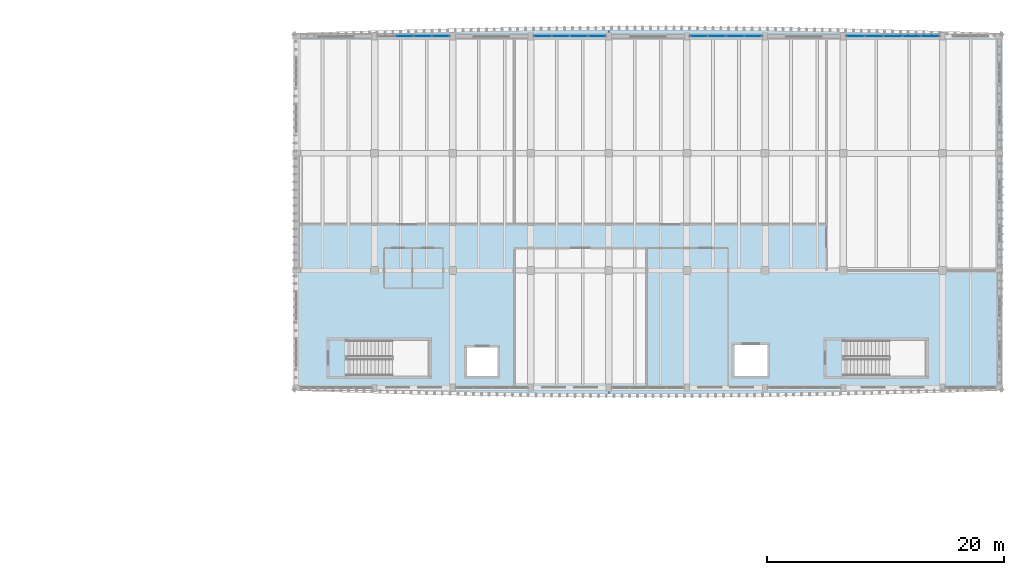
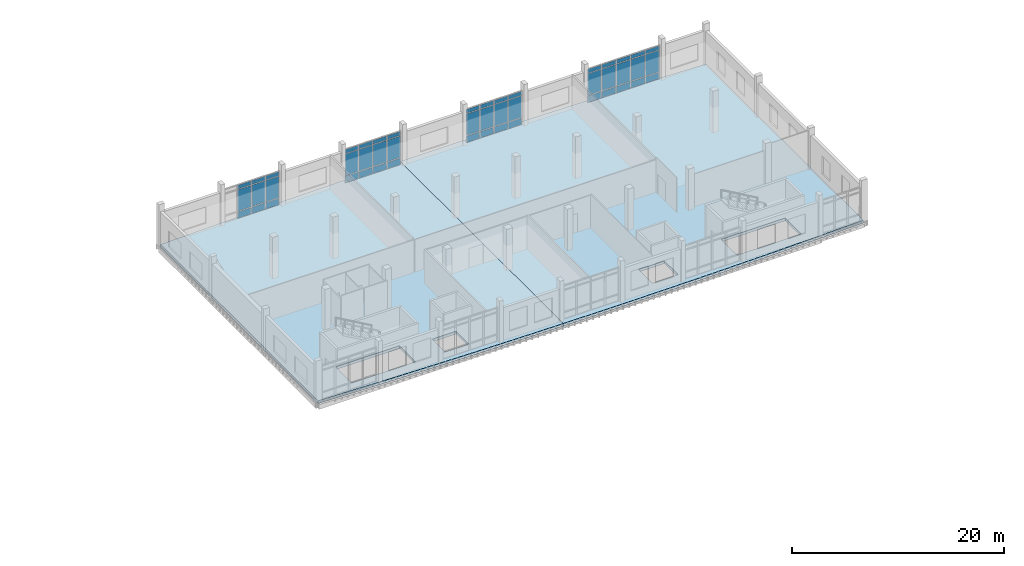
# One storey, part 23 of 50: 48 plates, 2 slabs, 4 elements without a shape of their own.
"""IFC4 building model written with IfcOpenShell, lengths in metres."""

from ifc_helpers import new_model, si_unit, direction, frame, origin, origin_2d, place, context, subcontext, project, spatial, polyline, rectangle, outline, extrude, material, layer, layer_set, type_object, element, aggregate, save


model = new_model("IFC4")

# Units and contexts
model_context = context("Model", 3, precision=1e-05, world=origin(), true_north=direction((0.0, 1.0)))
body_context = subcontext(model_context, "Body", "Model", "MODEL_VIEW")
ifc_project = project(units=[si_unit("LENGTHUNIT", "METRE"), si_unit("AREAUNIT", "SQUARE_METRE"), si_unit("VOLUMEUNIT", "CUBIC_METRE"), si_unit("PLANEANGLEUNIT", "RADIAN"), si_unit("MASSUNIT", "GRAM", prefix="KILO")], contexts=[model_context])

# Site, building, storey
site_placement = place(None, origin())
site = spatial("IfcSite", under=ifc_project, at=site_placement, CompositionType="ELEMENT")
building_placement = place(site_placement, origin())
building = spatial("IfcBuilding", under=site, at=building_placement, Name="Dornvale Research Institute", CompositionType="ELEMENT")
storey_placement = place(building_placement, frame((0.0, 0.0, 19.800048828125)))
storey = spatial("IfcBuildingStorey", under=building, at=storey_placement, Name="L04", CompositionType="ELEMENT", Elevation=19.800048828125)

# Curtain wall, plates
ifc_material_1 = material(Name="Low-E Argon Double Insulating Glazing Unit", Category="glass")
curtain_wall_type_1 = type_object("IfcCurtainWallType", Name="UnitisedCurtainWall_V4_6150x3950", PredefinedType="USERDEFINED", material=ifc_material_1)
curtain_wall_1_placement = place(storey_placement, origin())
curtain_wall_1 = element("IfcCurtainWall", 1, at=curtain_wall_1_placement, inside=storey, type_object=curtain_wall_type_1, Name="L04 V4 unitised curtain wall CW-15 #100", ObjectType="UNITISED CURTAIN WALL", PredefinedType="USERDEFINED")
ifc_material_2 = material(Name="Insulated Ceramic-Frit Spandrel Glass Panel", Category="glass")
ifc_layer_1 = layer(ifc_material_2, 0.0419921875)
ifc_layer_set_1 = layer_set([ifc_layer_1], Name="Insulated Ceramic-Frit Spandrel Glass Panel")
plate_type_1 = type_object("IfcPlateType", Name="CurtainPanel_Spandrel_42", PredefinedType="CURTAIN_PANEL", material=ifc_layer_set_1)
plate_1_placement = place(storey_placement, frame((127.93115234375, 122.10009765625, 0.06494140625), z_axis=(0.0, 0.0, 1.0), x_axis=(1.0, 0.0, 0.0)))
plate_1 = element("IfcPlate", 2, at=plate_1_placement, type_object=plate_type_1, Name="CW-15 panel 2.1", PredefinedType="CURTAIN_PANEL", context=body_context, shape_type="SweptSolid", body=[
    extrude(rectangle(XDim=1.472412109375, YDim=0.0419921875, at=origin_2d()), origin(), (0.0, 0.0, 1.0), 0.75244140625),
])
plate_2_placement = place(storey_placement, frame((129.46875, 122.10009765625, 0.06494140625), z_axis=(0.0, 0.0, 1.0), x_axis=(1.0, 0.0, 0.0)))
plate_2 = element("IfcPlate", 3, at=plate_2_placement, type_object=plate_type_1, Name="CW-15 panel 3.1", PredefinedType="CURTAIN_PANEL", context=body_context, shape_type="SweptSolid", body=[
    extrude(rectangle(XDim=1.472412109375, YDim=0.0419921875, at=origin_2d()), origin(), (0.0, 0.0, 1.0), 0.75244140625),
])
plate_3_placement = place(storey_placement, frame((130.989990234375, 122.10009765625, 0.06494140625), z_axis=(0.0, 0.0, 1.0), x_axis=(1.0, 0.0, 0.0)))
plate_3 = element("IfcPlate", 4, at=plate_3_placement, type_object=plate_type_1, Name="CW-15 panel 4.1", PredefinedType="CURTAIN_PANEL", context=body_context, shape_type="SweptSolid", body=[
    extrude(rectangle(XDim=1.43994140625, YDim=0.0419921875, at=origin_2d()), origin(), (0.0, 0.0, 1.0), 0.75244140625),
])

curtain_wall_2_placement = place(storey_placement, origin())
curtain_wall_2 = element("IfcCurtainWall", 5, at=curtain_wall_2_placement, inside=storey, type_object=curtain_wall_type_1, Name="L04 V4 unitised curtain wall CW-15 #101", ObjectType="UNITISED CURTAIN WALL", PredefinedType="USERDEFINED")
plate_4_placement = place(storey_placement, frame((139.610107421875, 122.10009765625, 0.06494140625), z_axis=(0.0, 0.0, 1.0), x_axis=(1.0, 0.0, 0.0)))
plate_4 = element("IfcPlate", 6, at=plate_4_placement, type_object=plate_type_1, Name="CW-15 panel 1.1", PredefinedType="CURTAIN_PANEL", context=body_context, shape_type="SweptSolid", body=[
    extrude(rectangle(XDim=1.43994140625, YDim=0.0419921875, at=origin_2d()), origin(), (0.0, 0.0, 1.0), 0.75244140625),
])
plate_5_placement = place(storey_placement, frame((141.13134765625, 122.10009765625, 0.06494140625), z_axis=(0.0, 0.0, 1.0), x_axis=(1.0, 0.0, 0.0)))
plate_5 = element("IfcPlate", 7, at=plate_5_placement, type_object=plate_type_1, Name="CW-15 panel 2.1", PredefinedType="CURTAIN_PANEL", context=body_context, shape_type="SweptSolid", body=[
    extrude(rectangle(XDim=1.472412109375, YDim=0.0419921875, at=origin_2d()), origin(), (0.0, 0.0, 1.0), 0.75244140625),
])
plate_6_placement = place(storey_placement, frame((142.668701171875, 122.10009765625, 0.06494140625), z_axis=(0.0, 0.0, 1.0), x_axis=(1.0, 0.0, 0.0)))
plate_6 = element("IfcPlate", 8, at=plate_6_placement, type_object=plate_type_1, Name="CW-15 panel 3.1", PredefinedType="CURTAIN_PANEL", context=body_context, shape_type="SweptSolid", body=[
    extrude(rectangle(XDim=1.472412109375, YDim=0.0419921875, at=origin_2d()), origin(), (0.0, 0.0, 1.0), 0.75244140625),
])
plate_7_placement = place(storey_placement, frame((144.18994140625, 122.10009765625, 0.06494140625), z_axis=(0.0, 0.0, 1.0), x_axis=(1.0, 0.0, 0.0)))
plate_7 = element("IfcPlate", 9, at=plate_7_placement, type_object=plate_type_1, Name="CW-15 panel 4.1", PredefinedType="CURTAIN_PANEL", context=body_context, shape_type="SweptSolid", body=[
    extrude(rectangle(XDim=1.43994140625, YDim=0.0419921875, at=origin_2d()), origin(), (0.0, 0.0, 1.0), 0.75244140625),
])

curtain_wall_3_placement = place(storey_placement, origin())
curtain_wall_3 = element("IfcCurtainWall", 10, at=curtain_wall_3_placement, inside=storey, type_object=curtain_wall_type_1, Name="L04 V4 unitised curtain wall CW-15 #102", ObjectType="UNITISED CURTAIN WALL", PredefinedType="USERDEFINED")
plate_8_placement = place(storey_placement, frame((152.81005859375, 122.10009765625, 0.06494140625), z_axis=(0.0, 0.0, 1.0), x_axis=(1.0, 0.0, 0.0)))
plate_8 = element("IfcPlate", 11, at=plate_8_placement, type_object=plate_type_1, Name="CW-15 panel 1.1", PredefinedType="CURTAIN_PANEL", context=body_context, shape_type="SweptSolid", body=[
    extrude(rectangle(XDim=1.43994140625, YDim=0.0419921875, at=origin_2d()), origin(), (0.0, 0.0, 1.0), 0.75244140625),
])
plate_9_placement = place(storey_placement, frame((154.331298828125, 122.10009765625, 0.06494140625), z_axis=(0.0, 0.0, 1.0), x_axis=(1.0, 0.0, 0.0)))
plate_9 = element("IfcPlate", 12, at=plate_9_placement, type_object=plate_type_1, Name="CW-15 panel 2.1", PredefinedType="CURTAIN_PANEL", context=body_context, shape_type="SweptSolid", body=[
    extrude(rectangle(XDim=1.472412109375, YDim=0.0419921875, at=origin_2d()), origin(), (0.0, 0.0, 1.0), 0.75244140625),
])
plate_10_placement = place(storey_placement, frame((155.86865234375, 122.10009765625, 0.06494140625), z_axis=(0.0, 0.0, 1.0), x_axis=(1.0, 0.0, 0.0)))
plate_10 = element("IfcPlate", 13, at=plate_10_placement, type_object=plate_type_1, Name="CW-15 panel 3.1", PredefinedType="CURTAIN_PANEL", context=body_context, shape_type="SweptSolid", body=[
    extrude(rectangle(XDim=1.472412109375, YDim=0.0419921875, at=origin_2d()), origin(), (0.0, 0.0, 1.0), 0.75244140625),
])
plate_11_placement = place(storey_placement, frame((157.389892578125, 122.10009765625, 0.06494140625), z_axis=(0.0, 0.0, 1.0), x_axis=(1.0, 0.0, 0.0)))
plate_11 = element("IfcPlate", 14, at=plate_11_placement, type_object=plate_type_1, Name="CW-15 panel 4.1", PredefinedType="CURTAIN_PANEL", context=body_context, shape_type="SweptSolid", body=[
    extrude(rectangle(XDim=1.43994140625, YDim=0.0419921875, at=origin_2d()), origin(), (0.0, 0.0, 1.0), 0.75244140625),
])

ifc_material_3 = material(Name="Low-E Argon Double Insulating Glazing Unit", Category="glass")
curtain_wall_type_2 = type_object("IfcCurtainWallType", Name="UnitisedCurtainWall_V4_7950x3950", PredefinedType="USERDEFINED", material=ifc_material_3)
curtain_wall_4_placement = place(storey_placement, origin())
curtain_wall_4 = element("IfcCurtainWall", 15, at=curtain_wall_4_placement, inside=storey, type_object=curtain_wall_type_2, Name="L04 V4 unitised curtain wall CW-16 #103", ObjectType="UNITISED CURTAIN WALL", PredefinedType="USERDEFINED")
plate_12_placement = place(storey_placement, frame((166.0361328125, 122.10009765625, 0.06494140625), z_axis=(0.0, 0.0, 1.0), x_axis=(1.0, 0.0, 0.0)))
plate_12 = element("IfcPlate", 16, at=plate_12_placement, type_object=plate_type_1, Name="CW-16 panel 1.1", PredefinedType="CURTAIN_PANEL", context=body_context, shape_type="SweptSolid", body=[
    extrude(rectangle(XDim=1.492431640625, YDim=0.0419921875, at=origin_2d()), origin(), (0.0, 0.0, 1.0), 0.75244140625),
])
plate_13_placement = place(storey_placement, frame((167.610107421875, 122.10009765625, 0.06494140625), z_axis=(0.0, 0.0, 1.0), x_axis=(1.0, 0.0, 0.0)))
plate_13 = element("IfcPlate", 17, at=plate_13_placement, type_object=plate_type_1, Name="CW-16 panel 2.1", PredefinedType="CURTAIN_PANEL", context=body_context, shape_type="SweptSolid", body=[
    extrude(rectangle(XDim=1.52490234375, YDim=0.0419921875, at=origin_2d()), origin(), (0.0, 0.0, 1.0), 0.75244140625),
])
plate_14_placement = place(storey_placement, frame((169.199951171875, 122.10009765625, 0.06494140625), z_axis=(0.0, 0.0, 1.0), x_axis=(1.0, 0.0, 0.0)))
plate_14 = element("IfcPlate", 18, at=plate_14_placement, type_object=plate_type_1, Name="CW-16 panel 3.1", PredefinedType="CURTAIN_PANEL", context=body_context, shape_type="SweptSolid", body=[
    extrude(rectangle(XDim=1.52490234375, YDim=0.0419921875, at=origin_2d()), origin(), (0.0, 0.0, 1.0), 0.75244140625),
])
plate_15_placement = place(storey_placement, frame((170.7900390625, 122.10009765625, 0.06494140625), z_axis=(0.0, 0.0, 1.0), x_axis=(1.0, 0.0, 0.0)))
plate_15 = element("IfcPlate", 19, at=plate_15_placement, type_object=plate_type_1, Name="CW-16 panel 4.1", PredefinedType="CURTAIN_PANEL", context=body_context, shape_type="SweptSolid", body=[
    extrude(rectangle(XDim=1.52490234375, YDim=0.0419921875, at=origin_2d()), origin(), (0.0, 0.0, 1.0), 0.75244140625),
])
plate_16_placement = place(storey_placement, frame((172.36376953125, 122.10009765625, 0.06494140625), z_axis=(0.0, 0.0, 1.0), x_axis=(1.0, 0.0, 0.0)))
plate_16 = element("IfcPlate", 20, at=plate_16_placement, type_object=plate_type_1, Name="CW-16 panel 5.1", PredefinedType="CURTAIN_PANEL", context=body_context, shape_type="SweptSolid", body=[
    extrude(rectangle(XDim=1.492431640625, YDim=0.0419921875, at=origin_2d()), origin(), (0.0, 0.0, 1.0), 0.75244140625),
])

# Plate
ifc_material_4 = material(Name="Low-E Argon Double Insulating Glazing Unit", Category="glass")
ifc_layer_2 = layer(ifc_material_4, 0.028076171875)
ifc_layer_set_2 = layer_set([ifc_layer_2], Name="Low-E Argon Double Insulating Glazing Unit")
plate_type_2 = type_object("IfcPlateType", Name="CurtainPanel_Vision_28", PredefinedType="CURTAIN_PANEL", material=ifc_layer_set_2)
plate_17_placement = place(storey_placement, frame((127.93115234375, 122.10009765625, 0.88232421875), z_axis=(0.0, 0.0, 1.0), x_axis=(1.0, 0.0, 0.0)))
plate_17 = element("IfcPlate", 21, at=plate_17_placement, type_object=plate_type_2, Name="CW-15 panel 2.2", PredefinedType="CURTAIN_PANEL", context=body_context, shape_type="SweptSolid", body=[
    extrude(rectangle(XDim=1.472412109375, YDim=0.028076171875, at=origin_2d()), origin(), (0.0, 0.0, 1.0), 2.485107421875),
])

plate_18_placement = place(storey_placement, frame((127.93115234375, 122.10009765625, 3.4326171875), z_axis=(0.0, 0.0, 1.0), x_axis=(1.0, 0.0, 0.0)))
plate_18 = element("IfcPlate", 22, at=plate_18_placement, type_object=plate_type_2, Name="CW-15 panel 2.3", PredefinedType="CURTAIN_PANEL", context=body_context, shape_type="SweptSolid", body=[
    extrude(rectangle(XDim=1.472412109375, YDim=0.028076171875, at=origin_2d()), origin(), (0.0, 0.0, 1.0), 0.452392578125),
])

plate_19_placement = place(storey_placement, frame((129.46875, 122.10009765625, 0.88232421875), z_axis=(0.0, 0.0, 1.0), x_axis=(1.0, 0.0, 0.0)))
plate_19 = element("IfcPlate", 23, at=plate_19_placement, type_object=plate_type_2, Name="CW-15 panel 3.2", PredefinedType="CURTAIN_PANEL", context=body_context, shape_type="SweptSolid", body=[
    extrude(rectangle(XDim=1.472412109375, YDim=0.028076171875, at=origin_2d()), origin(), (0.0, 0.0, 1.0), 2.485107421875),
])

plate_20_placement = place(storey_placement, frame((129.46875, 122.10009765625, 3.4326171875), z_axis=(0.0, 0.0, 1.0), x_axis=(1.0, 0.0, 0.0)))
plate_20 = element("IfcPlate", 24, at=plate_20_placement, type_object=plate_type_2, Name="CW-15 panel 3.3", PredefinedType="CURTAIN_PANEL", context=body_context, shape_type="SweptSolid", body=[
    extrude(rectangle(XDim=1.472412109375, YDim=0.028076171875, at=origin_2d()), origin(), (0.0, 0.0, 1.0), 0.452392578125),
])

plate_21_placement = place(storey_placement, frame((130.989990234375, 122.10009765625, 0.88232421875), z_axis=(0.0, 0.0, 1.0), x_axis=(1.0, 0.0, 0.0)))
plate_21 = element("IfcPlate", 25, at=plate_21_placement, type_object=plate_type_2, Name="CW-15 panel 4.2", PredefinedType="CURTAIN_PANEL", context=body_context, shape_type="SweptSolid", body=[
    extrude(rectangle(XDim=1.43994140625, YDim=0.028076171875, at=origin_2d()), origin(), (0.0, 0.0, 1.0), 2.485107421875),
])

plate_22_placement = place(storey_placement, frame((130.989990234375, 122.10009765625, 3.4326171875), z_axis=(0.0, 0.0, 1.0), x_axis=(1.0, 0.0, 0.0)))
plate_22 = element("IfcPlate", 26, at=plate_22_placement, type_object=plate_type_2, Name="CW-15 panel 4.3", PredefinedType="CURTAIN_PANEL", context=body_context, shape_type="SweptSolid", body=[
    extrude(rectangle(XDim=1.43994140625, YDim=0.028076171875, at=origin_2d()), origin(), (0.0, 0.0, 1.0), 0.452392578125),
])

aggregate(curtain_wall_1, [plate_1, plate_17, plate_18, plate_2, plate_19, plate_20, plate_3, plate_21, plate_22])

plate_23_placement = place(storey_placement, frame((139.610107421875, 122.10009765625, 0.88232421875), z_axis=(0.0, 0.0, 1.0), x_axis=(1.0, 0.0, 0.0)))
plate_23 = element("IfcPlate", 27, at=plate_23_placement, type_object=plate_type_2, Name="CW-15 panel 1.2", PredefinedType="CURTAIN_PANEL", context=body_context, shape_type="SweptSolid", body=[
    extrude(rectangle(XDim=1.43994140625, YDim=0.028076171875, at=origin_2d()), origin(), (0.0, 0.0, 1.0), 2.485107421875),
])

plate_24_placement = place(storey_placement, frame((139.610107421875, 122.10009765625, 3.4326171875), z_axis=(0.0, 0.0, 1.0), x_axis=(1.0, 0.0, 0.0)))
plate_24 = element("IfcPlate", 28, at=plate_24_placement, type_object=plate_type_2, Name="CW-15 panel 1.3", PredefinedType="CURTAIN_PANEL", context=body_context, shape_type="SweptSolid", body=[
    extrude(rectangle(XDim=1.43994140625, YDim=0.028076171875, at=origin_2d()), origin(), (0.0, 0.0, 1.0), 0.452392578125),
])

plate_25_placement = place(storey_placement, frame((141.13134765625, 122.10009765625, 0.88232421875), z_axis=(0.0, 0.0, 1.0), x_axis=(1.0, 0.0, 0.0)))
plate_25 = element("IfcPlate", 29, at=plate_25_placement, type_object=plate_type_2, Name="CW-15 panel 2.2", PredefinedType="CURTAIN_PANEL", context=body_context, shape_type="SweptSolid", body=[
    extrude(rectangle(XDim=1.472412109375, YDim=0.028076171875, at=origin_2d()), origin(), (0.0, 0.0, 1.0), 2.485107421875),
])

plate_26_placement = place(storey_placement, frame((141.13134765625, 122.10009765625, 3.4326171875), z_axis=(0.0, 0.0, 1.0), x_axis=(1.0, 0.0, 0.0)))
plate_26 = element("IfcPlate", 30, at=plate_26_placement, type_object=plate_type_2, Name="CW-15 panel 2.3", PredefinedType="CURTAIN_PANEL", context=body_context, shape_type="SweptSolid", body=[
    extrude(rectangle(XDim=1.472412109375, YDim=0.028076171875, at=origin_2d()), origin(), (0.0, 0.0, 1.0), 0.452392578125),
])

plate_27_placement = place(storey_placement, frame((142.668701171875, 122.10009765625, 0.88232421875), z_axis=(0.0, 0.0, 1.0), x_axis=(1.0, 0.0, 0.0)))
plate_27 = element("IfcPlate", 31, at=plate_27_placement, type_object=plate_type_2, Name="CW-15 panel 3.2", PredefinedType="CURTAIN_PANEL", context=body_context, shape_type="SweptSolid", body=[
    extrude(rectangle(XDim=1.472412109375, YDim=0.028076171875, at=origin_2d()), origin(), (0.0, 0.0, 1.0), 2.485107421875),
])

plate_28_placement = place(storey_placement, frame((142.668701171875, 122.10009765625, 3.4326171875), z_axis=(0.0, 0.0, 1.0), x_axis=(1.0, 0.0, 0.0)))
plate_28 = element("IfcPlate", 32, at=plate_28_placement, type_object=plate_type_2, Name="CW-15 panel 3.3", PredefinedType="CURTAIN_PANEL", context=body_context, shape_type="SweptSolid", body=[
    extrude(rectangle(XDim=1.472412109375, YDim=0.028076171875, at=origin_2d()), origin(), (0.0, 0.0, 1.0), 0.452392578125),
])

plate_29_placement = place(storey_placement, frame((144.18994140625, 122.10009765625, 0.88232421875), z_axis=(0.0, 0.0, 1.0), x_axis=(1.0, 0.0, 0.0)))
plate_29 = element("IfcPlate", 33, at=plate_29_placement, type_object=plate_type_2, Name="CW-15 panel 4.2", PredefinedType="CURTAIN_PANEL", context=body_context, shape_type="SweptSolid", body=[
    extrude(rectangle(XDim=1.43994140625, YDim=0.028076171875, at=origin_2d()), origin(), (0.0, 0.0, 1.0), 2.485107421875),
])

plate_30_placement = place(storey_placement, frame((144.18994140625, 122.10009765625, 3.4326171875), z_axis=(0.0, 0.0, 1.0), x_axis=(1.0, 0.0, 0.0)))
plate_30 = element("IfcPlate", 34, at=plate_30_placement, type_object=plate_type_2, Name="CW-15 panel 4.3", PredefinedType="CURTAIN_PANEL", context=body_context, shape_type="SweptSolid", body=[
    extrude(rectangle(XDim=1.43994140625, YDim=0.028076171875, at=origin_2d()), origin(), (0.0, 0.0, 1.0), 0.452392578125),
])

aggregate(curtain_wall_2, [plate_4, plate_23, plate_24, plate_5, plate_25, plate_26, plate_6, plate_27, plate_28, plate_7, plate_29, plate_30])

plate_31_placement = place(storey_placement, frame((152.81005859375, 122.10009765625, 0.88232421875), z_axis=(0.0, 0.0, 1.0), x_axis=(1.0, 0.0, 0.0)))
plate_31 = element("IfcPlate", 35, at=plate_31_placement, type_object=plate_type_2, Name="CW-15 panel 1.2", PredefinedType="CURTAIN_PANEL", context=body_context, shape_type="SweptSolid", body=[
    extrude(rectangle(XDim=1.43994140625, YDim=0.028076171875, at=origin_2d()), origin(), (0.0, 0.0, 1.0), 2.485107421875),
])

plate_32_placement = place(storey_placement, frame((152.81005859375, 122.10009765625, 3.4326171875), z_axis=(0.0, 0.0, 1.0), x_axis=(1.0, 0.0, 0.0)))
plate_32 = element("IfcPlate", 36, at=plate_32_placement, type_object=plate_type_2, Name="CW-15 panel 1.3", PredefinedType="CURTAIN_PANEL", context=body_context, shape_type="SweptSolid", body=[
    extrude(rectangle(XDim=1.43994140625, YDim=0.028076171875, at=origin_2d()), origin(), (0.0, 0.0, 1.0), 0.452392578125),
])

plate_33_placement = place(storey_placement, frame((154.331298828125, 122.10009765625, 0.88232421875), z_axis=(0.0, 0.0, 1.0), x_axis=(1.0, 0.0, 0.0)))
plate_33 = element("IfcPlate", 37, at=plate_33_placement, type_object=plate_type_2, Name="CW-15 panel 2.2", PredefinedType="CURTAIN_PANEL", context=body_context, shape_type="SweptSolid", body=[
    extrude(rectangle(XDim=1.472412109375, YDim=0.028076171875, at=origin_2d()), origin(), (0.0, 0.0, 1.0), 2.485107421875),
])

plate_34_placement = place(storey_placement, frame((154.331298828125, 122.10009765625, 3.4326171875), z_axis=(0.0, 0.0, 1.0), x_axis=(1.0, 0.0, 0.0)))
plate_34 = element("IfcPlate", 38, at=plate_34_placement, type_object=plate_type_2, Name="CW-15 panel 2.3", PredefinedType="CURTAIN_PANEL", context=body_context, shape_type="SweptSolid", body=[
    extrude(rectangle(XDim=1.472412109375, YDim=0.028076171875, at=origin_2d()), origin(), (0.0, 0.0, 1.0), 0.452392578125),
])

plate_35_placement = place(storey_placement, frame((155.86865234375, 122.10009765625, 0.88232421875), z_axis=(0.0, 0.0, 1.0), x_axis=(1.0, 0.0, 0.0)))
plate_35 = element("IfcPlate", 39, at=plate_35_placement, type_object=plate_type_2, Name="CW-15 panel 3.2", PredefinedType="CURTAIN_PANEL", context=body_context, shape_type="SweptSolid", body=[
    extrude(rectangle(XDim=1.472412109375, YDim=0.028076171875, at=origin_2d()), origin(), (0.0, 0.0, 1.0), 2.485107421875),
])

plate_36_placement = place(storey_placement, frame((155.86865234375, 122.10009765625, 3.4326171875), z_axis=(0.0, 0.0, 1.0), x_axis=(1.0, 0.0, 0.0)))
plate_36 = element("IfcPlate", 40, at=plate_36_placement, type_object=plate_type_2, Name="CW-15 panel 3.3", PredefinedType="CURTAIN_PANEL", context=body_context, shape_type="SweptSolid", body=[
    extrude(rectangle(XDim=1.472412109375, YDim=0.028076171875, at=origin_2d()), origin(), (0.0, 0.0, 1.0), 0.452392578125),
])

plate_37_placement = place(storey_placement, frame((157.389892578125, 122.10009765625, 0.88232421875), z_axis=(0.0, 0.0, 1.0), x_axis=(1.0, 0.0, 0.0)))
plate_37 = element("IfcPlate", 41, at=plate_37_placement, type_object=plate_type_2, Name="CW-15 panel 4.2", PredefinedType="CURTAIN_PANEL", context=body_context, shape_type="SweptSolid", body=[
    extrude(rectangle(XDim=1.43994140625, YDim=0.028076171875, at=origin_2d()), origin(), (0.0, 0.0, 1.0), 2.485107421875),
])

plate_38_placement = place(storey_placement, frame((157.389892578125, 122.10009765625, 3.4326171875), z_axis=(0.0, 0.0, 1.0), x_axis=(1.0, 0.0, 0.0)))
plate_38 = element("IfcPlate", 42, at=plate_38_placement, type_object=plate_type_2, Name="CW-15 panel 4.3", PredefinedType="CURTAIN_PANEL", context=body_context, shape_type="SweptSolid", body=[
    extrude(rectangle(XDim=1.43994140625, YDim=0.028076171875, at=origin_2d()), origin(), (0.0, 0.0, 1.0), 0.452392578125),
])

aggregate(curtain_wall_3, [plate_8, plate_31, plate_32, plate_9, plate_33, plate_34, plate_10, plate_35, plate_36, plate_11, plate_37, plate_38])

plate_39_placement = place(storey_placement, frame((166.0361328125, 122.10009765625, 0.88232421875), z_axis=(0.0, 0.0, 1.0), x_axis=(1.0, 0.0, 0.0)))
plate_39 = element("IfcPlate", 43, at=plate_39_placement, type_object=plate_type_2, Name="CW-16 panel 1.2", PredefinedType="CURTAIN_PANEL", context=body_context, shape_type="SweptSolid", body=[
    extrude(rectangle(XDim=1.492431640625, YDim=0.028076171875, at=origin_2d()), origin(), (0.0, 0.0, 1.0), 2.485107421875),
])

plate_40_placement = place(storey_placement, frame((166.0361328125, 122.10009765625, 3.4326171875), z_axis=(0.0, 0.0, 1.0), x_axis=(1.0, 0.0, 0.0)))
plate_40 = element("IfcPlate", 44, at=plate_40_placement, type_object=plate_type_2, Name="CW-16 panel 1.3", PredefinedType="CURTAIN_PANEL", context=body_context, shape_type="SweptSolid", body=[
    extrude(rectangle(XDim=1.492431640625, YDim=0.028076171875, at=origin_2d()), origin(), (0.0, 0.0, 1.0), 0.452392578125),
])

plate_41_placement = place(storey_placement, frame((167.610107421875, 122.10009765625, 0.88232421875), z_axis=(0.0, 0.0, 1.0), x_axis=(1.0, 0.0, 0.0)))
plate_41 = element("IfcPlate", 45, at=plate_41_placement, type_object=plate_type_2, Name="CW-16 panel 2.2", PredefinedType="CURTAIN_PANEL", context=body_context, shape_type="SweptSolid", body=[
    extrude(rectangle(XDim=1.52490234375, YDim=0.028076171875, at=origin_2d()), origin(), (0.0, 0.0, 1.0), 2.485107421875),
])

plate_42_placement = place(storey_placement, frame((167.610107421875, 122.10009765625, 3.4326171875), z_axis=(0.0, 0.0, 1.0), x_axis=(1.0, 0.0, 0.0)))
plate_42 = element("IfcPlate", 46, at=plate_42_placement, type_object=plate_type_2, Name="CW-16 panel 2.3", PredefinedType="CURTAIN_PANEL", context=body_context, shape_type="SweptSolid", body=[
    extrude(rectangle(XDim=1.52490234375, YDim=0.028076171875, at=origin_2d()), origin(), (0.0, 0.0, 1.0), 0.452392578125),
])

plate_43_placement = place(storey_placement, frame((169.199951171875, 122.10009765625, 0.88232421875), z_axis=(0.0, 0.0, 1.0), x_axis=(1.0, 0.0, 0.0)))
plate_43 = element("IfcPlate", 47, at=plate_43_placement, type_object=plate_type_2, Name="CW-16 panel 3.2", PredefinedType="CURTAIN_PANEL", context=body_context, shape_type="SweptSolid", body=[
    extrude(rectangle(XDim=1.52490234375, YDim=0.028076171875, at=origin_2d()), origin(), (0.0, 0.0, 1.0), 2.485107421875),
])

plate_44_placement = place(storey_placement, frame((169.199951171875, 122.10009765625, 3.4326171875), z_axis=(0.0, 0.0, 1.0), x_axis=(1.0, 0.0, 0.0)))
plate_44 = element("IfcPlate", 48, at=plate_44_placement, type_object=plate_type_2, Name="CW-16 panel 3.3", PredefinedType="CURTAIN_PANEL", context=body_context, shape_type="SweptSolid", body=[
    extrude(rectangle(XDim=1.52490234375, YDim=0.028076171875, at=origin_2d()), origin(), (0.0, 0.0, 1.0), 0.452392578125),
])

plate_45_placement = place(storey_placement, frame((170.7900390625, 122.10009765625, 0.88232421875), z_axis=(0.0, 0.0, 1.0), x_axis=(1.0, 0.0, 0.0)))
plate_45 = element("IfcPlate", 49, at=plate_45_placement, type_object=plate_type_2, Name="CW-16 panel 4.2", PredefinedType="CURTAIN_PANEL", context=body_context, shape_type="SweptSolid", body=[
    extrude(rectangle(XDim=1.52490234375, YDim=0.028076171875, at=origin_2d()), origin(), (0.0, 0.0, 1.0), 2.485107421875),
])

plate_46_placement = place(storey_placement, frame((170.7900390625, 122.10009765625, 3.4326171875), z_axis=(0.0, 0.0, 1.0), x_axis=(1.0, 0.0, 0.0)))
plate_46 = element("IfcPlate", 50, at=plate_46_placement, type_object=plate_type_2, Name="CW-16 panel 4.3", PredefinedType="CURTAIN_PANEL", context=body_context, shape_type="SweptSolid", body=[
    extrude(rectangle(XDim=1.52490234375, YDim=0.028076171875, at=origin_2d()), origin(), (0.0, 0.0, 1.0), 0.452392578125),
])

plate_47_placement = place(storey_placement, frame((172.36376953125, 122.10009765625, 0.88232421875), z_axis=(0.0, 0.0, 1.0), x_axis=(1.0, 0.0, 0.0)))
plate_47 = element("IfcPlate", 51, at=plate_47_placement, type_object=plate_type_2, Name="CW-16 panel 5.2", PredefinedType="CURTAIN_PANEL", context=body_context, shape_type="SweptSolid", body=[
    extrude(rectangle(XDim=1.492431640625, YDim=0.028076171875, at=origin_2d()), origin(), (0.0, 0.0, 1.0), 2.485107421875),
])

plate_48_placement = place(storey_placement, frame((172.36376953125, 122.10009765625, 3.4326171875), z_axis=(0.0, 0.0, 1.0), x_axis=(1.0, 0.0, 0.0)))
plate_48 = element("IfcPlate", 52, at=plate_48_placement, type_object=plate_type_2, Name="CW-16 panel 5.3", PredefinedType="CURTAIN_PANEL", context=body_context, shape_type="SweptSolid", body=[
    extrude(rectangle(XDim=1.492431640625, YDim=0.028076171875, at=origin_2d()), origin(), (0.0, 0.0, 1.0), 0.452392578125),
])

aggregate(curtain_wall_4, [plate_12, plate_39, plate_40, plate_13, plate_41, plate_42, plate_14, plate_43, plate_44, plate_15, plate_45, plate_46, plate_16, plate_47, plate_48])

# Slabs
ifc_material_5 = material(Name="Concrete f'c 45 MPa (C35/45)", Category="concrete")
ifc_layer_3 = layer(ifc_material_5, 0.320068359375)
ifc_layer_set_3 = layer_set([ifc_layer_3], Name="Concrete f'c 45 MPa (C35/45)")
slab_type = type_object("IfcSlabType", Name="FloorSlab_Lab_320", PredefinedType="FLOOR", material=ifc_layer_set_3)
slab_1_placement = place(storey_placement, frame((0.0, 0.0, -0.320068359375)))
element("IfcSlab", 53, at=slab_1_placement, inside=storey, type_object=slab_type, Name="L04 V4 W floor slab", PredefinedType="FLOOR", context=body_context, shape_type="SweptSolid", body=[
    extrude(outline(polyline([(143.550048828125, 91.865234375), (141.89990234375, 91.877197265625), (140.25, 91.892333984375), (138.60009765625, 91.9111328125), (136.949951171875, 91.93310546875), (135.300048828125, 91.95849609375), (133.64990234375, 91.987548828125), (132.0, 92.019775390625), (130.35009765625, 92.055419921875), (128.699951171875, 92.094482421875), (127.050048828125, 92.136962890625), (125.39990234375, 92.1826171875), (123.75, 92.23193359375), (122.10009765625, 92.28466796875), (120.449951171875, 92.340576171875), (118.800048828125, 92.39990234375), (118.800048828125, 122.10009765625), (120.449951171875, 122.159423828125), (122.10009765625, 122.21533203125), (123.75, 122.26806640625), (125.39990234375, 122.3173828125), (127.050048828125, 122.363037109375), (128.699951171875, 122.405517578125), (130.35009765625, 122.444580078125), (132.0, 122.480224609375), (133.64990234375, 122.512451171875), (135.300048828125, 122.54150390625), (136.949951171875, 122.56689453125), (138.60009765625, 122.5888671875), (140.25, 122.607666015625), (141.89990234375, 122.622802734375), (143.550048828125, 122.634765625), (145.199951171875, 122.643310546875), (145.199951171875, 91.856689453125), (143.550048828125, 91.865234375)]), holes=[polyline([(123.02001953125, 93.39990234375), (130.0, 93.39990234375), (130.0, 96.39990234375), (123.02001953125, 96.39990234375), (123.02001953125, 93.39990234375)]), polyline([(133.199951171875, 93.39990234375), (135.800048828125, 93.39990234375), (135.800048828125, 95.800048828125), (133.199951171875, 95.800048828125), (133.199951171875, 93.39990234375)])]), origin(), (0.0, 0.0, 1.0), 0.320068359375),
])
slab_2_placement = place(storey_placement, frame((0.0, 0.0, -0.320068359375)))
element("IfcSlab", 54, at=slab_2_placement, inside=storey, type_object=slab_type, Name="L04 V4 E floor slab", PredefinedType="FLOOR", context=body_context, shape_type="SweptSolid", body=[
    extrude(outline(polyline([(146.85009765625, 122.648193359375), (148.5, 122.64990234375), (150.14990234375, 122.648193359375), (151.800048828125, 122.643310546875), (153.449951171875, 122.634765625), (155.10009765625, 122.622802734375), (156.75, 122.607666015625), (158.39990234375, 122.5888671875), (160.050048828125, 122.56689453125), (161.699951171875, 122.54150390625), (163.35009765625, 122.512451171875), (165.0, 122.480224609375), (166.64990234375, 122.444580078125), (168.300048828125, 122.405517578125), (169.949951171875, 122.363037109375), (171.60009765625, 122.3173828125), (173.25, 122.26806640625), (174.89990234375, 122.21533203125), (176.550048828125, 122.159423828125), (178.199951171875, 122.10009765625), (178.199951171875, 92.39990234375), (176.550048828125, 92.340576171875), (174.89990234375, 92.28466796875), (173.25, 92.23193359375), (171.60009765625, 92.1826171875), (169.949951171875, 92.136962890625), (168.300048828125, 92.094482421875), (166.64990234375, 92.055419921875), (165.0, 92.019775390625), (163.35009765625, 91.987548828125), (161.699951171875, 91.95849609375), (160.050048828125, 91.93310546875), (158.39990234375, 91.9111328125), (156.75, 91.892333984375), (155.10009765625, 91.877197265625), (153.449951171875, 91.865234375), (151.800048828125, 91.856689453125), (150.14990234375, 91.851806640625), (148.5, 91.85009765625), (146.85009765625, 91.851806640625), (145.199951171875, 91.856689453125), (145.199951171875, 122.643310546875), (146.85009765625, 122.648193359375)]), holes=[polyline([(165.02001953125, 93.39990234375), (172.0, 93.39990234375), (172.0, 96.39990234375), (165.02001953125, 96.39990234375), (165.02001953125, 93.39990234375)]), polyline([(155.800048828125, 93.39990234375), (158.60009765625, 93.39990234375), (158.60009765625, 96.0), (155.800048828125, 96.0), (155.800048828125, 93.39990234375)])]), origin(), (0.0, 0.0, 1.0), 0.320068359375),
])

save(model, "model.ifc")
